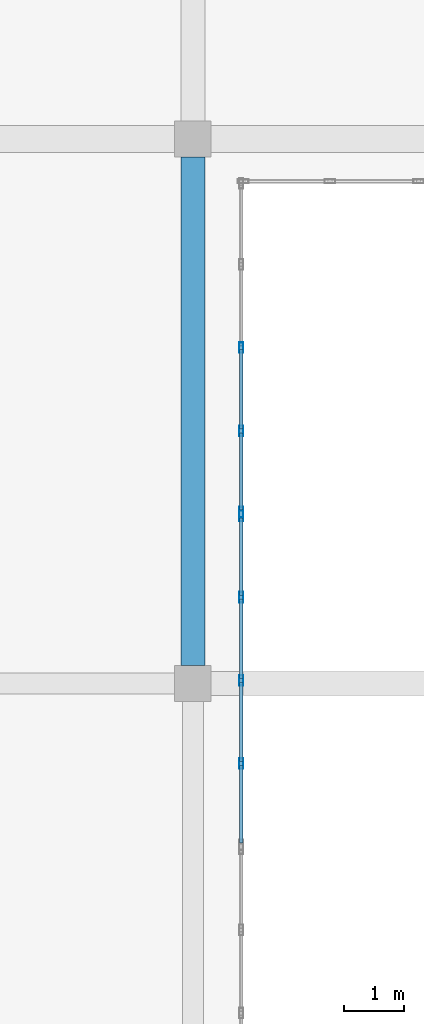
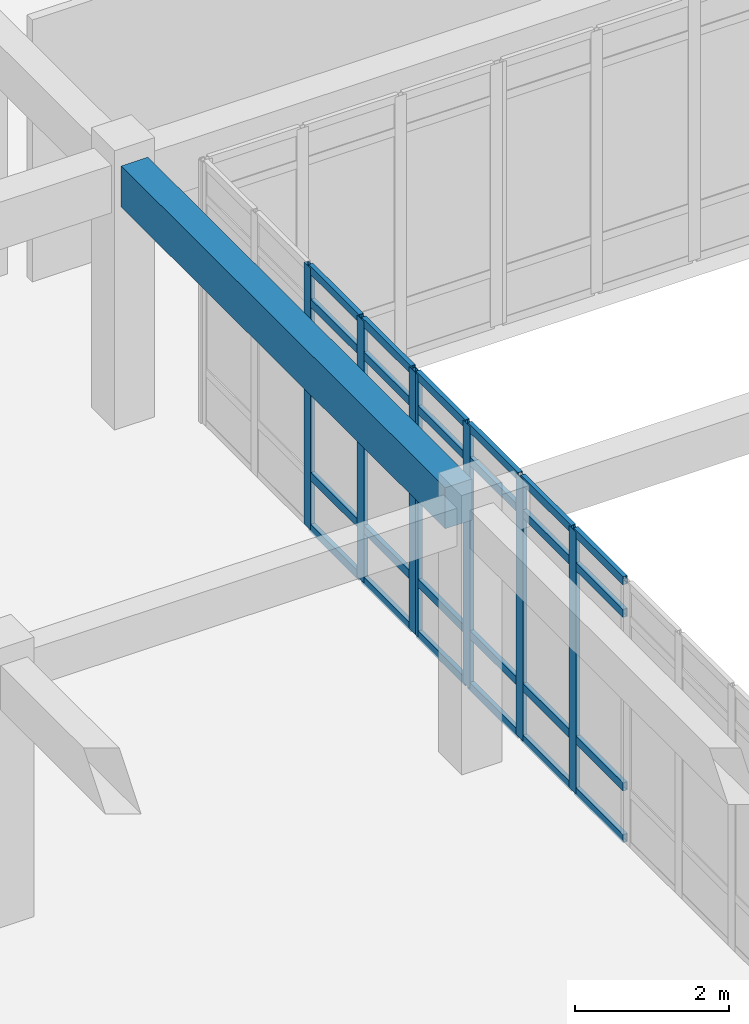
# One storey, part 72 of 142: 31 members, 1 beam, 2 elements without a shape of their own.
"""IFC4 building model written with IfcOpenShell, lengths in metres."""

from ifc_helpers import new_model, si_unit, direction, frame, origin, origin_2d, place, context, subcontext, project, spatial, rectangle, hollow_rectangle, extrude, material, layer, layer_set, material_profile, profile_set, type_object, element, aggregate, save


model = new_model("IFC4")

# Units and contexts
model_context = context("Model", 3, precision=1e-05, world=origin(), true_north=direction((0.0, 1.0)))
body_context = subcontext(model_context, "Body", "Model", "MODEL_VIEW")
ifc_project = project(units=[si_unit("LENGTHUNIT", "METRE"), si_unit("AREAUNIT", "SQUARE_METRE"), si_unit("VOLUMEUNIT", "CUBIC_METRE"), si_unit("PLANEANGLEUNIT", "RADIAN"), si_unit("MASSUNIT", "GRAM", prefix="KILO")], contexts=[model_context])

# Site, building, storey
site_placement = place(None, origin())
site = spatial("IfcSite", under=ifc_project, at=site_placement, CompositionType="ELEMENT")
building_placement = place(site_placement, origin())
building = spatial("IfcBuilding", under=site, at=building_placement, Name="Valcora Specialist Clinic", CompositionType="ELEMENT")
storey_placement = place(building_placement, frame((0.0, 0.0, 5.10009765625)))
storey = spatial("IfcBuildingStorey", under=building, at=storey_placement, Name="L01", CompositionType="ELEMENT", Elevation=5.10009765625)

# Beam
ifc_material_1 = material(Name="Concrete C40/50", Category="concrete")
ifc_material_profile_1 = material_profile(ifc_material_1, rectangle(XDim=0.39990234375, YDim=0.64990234375, at=origin_2d()), Name="RC-BM-400X650")
ifc_profile_set_1 = profile_set([ifc_material_profile_1], Name="Concrete C40/50")
beam_type = type_object("IfcBeamType", Name="TY-BM-RC400X650", PredefinedType="BEAM", material=ifc_profile_set_1)
beam_placement = place(storey_placement, frame((76.0, 90.5, 3.81982421875), z_axis=(0.0, 1.0, 0.0), x_axis=(-1.0, 0.0, 0.0)))
element("IfcBeam", 1, at=beam_placement, inside=storey, type_object=beam_type, Name="Beam BM-L01-0667", PredefinedType="BEAM", context=body_context, shape_type="SweptSolid", body=[
    extrude(rectangle(XDim=0.39990234375, YDim=0.64990234375, at=origin_2d()), origin(), (0.0, 0.0, 1.0), 8.39990234375),
])

# Curtain wall, members
ifc_material_2 = material(Name="Anodized Bronze Aluminium 6063-T6", Category="aluminium")
ifc_layer = layer(ifc_material_2, 0.175048828125)
ifc_layer_set = layer_set([ifc_layer], Name="Anodized Bronze Aluminium 6063-T6")
curtain_wall_type = type_object("IfcCurtainWallType", Name="TY-CW-CRT15", PredefinedType="NOTDEFINED", material=ifc_layer_set)
curtain_wall_1_placement = place(storey_placement, origin())
curtain_wall_1 = element("IfcCurtainWall", 2, at=curtain_wall_1_placement, inside=storey, type_object=curtain_wall_type, Name="Curtain wall CW-L01-070", PredefinedType="NOTDEFINED")
ifc_material_profile_2 = material_profile(ifc_material_2, hollow_rectangle(XDim=0.06494140625, YDim=0.175048828125, WallThickness=0.00390625, at=origin_2d()), Name="AL-MUL-65X175")
ifc_profile_set_2 = profile_set([ifc_material_profile_2], Name="Anodized Bronze Aluminium 6063-T6")
member_type_1 = type_object("IfcMemberType", Name="TY-CWM-65X175", PredefinedType="MULLION", material=ifc_profile_set_2)
member_1_placement = place(storey_placement, frame((76.800048828125, 95.75, 0.0), z_axis=(0.0, 0.0, 1.0), x_axis=(1.0, 0.0, 0.0)))
member_1 = element("IfcMember", 3, at=member_1_placement, type_object=member_type_1, Name="CW-CRT-15 mullion 3", PredefinedType="MULLION", context=body_context, shape_type="SweptSolid", body=[
    extrude(hollow_rectangle(XDim=0.06494140625, YDim=0.175048828125, WallThickness=0.00390625, at=origin_2d()), origin(), (0.0, 0.0, 1.0), 4.14501953125),
])
member_2_placement = place(storey_placement, frame((76.800048828125, 94.375, 0.0), z_axis=(0.0, 0.0, 1.0), x_axis=(1.0, 0.0, 0.0)))
member_2 = element("IfcMember", 4, at=member_2_placement, type_object=member_type_1, Name="CW-CRT-15 mullion 4", PredefinedType="MULLION", context=body_context, shape_type="SweptSolid", body=[
    extrude(hollow_rectangle(XDim=0.06494140625, YDim=0.175048828125, WallThickness=0.00390625, at=origin_2d()), origin(), (0.0, 0.0, 1.0), 4.14501953125),
])
member_3_placement = place(storey_placement, frame((76.800048828125, 93.032470703125, 0.0), z_axis=(0.0, 0.0, 1.0), x_axis=(1.0, 0.0, 0.0)))
member_3 = element("IfcMember", 5, at=member_3_placement, type_object=member_type_1, Name="CW-CRT-15 mullion 5", PredefinedType="MULLION", context=body_context, shape_type="SweptSolid", body=[
    extrude(hollow_rectangle(XDim=0.06494140625, YDim=0.175048828125, WallThickness=0.00390625, at=origin_2d()), origin(), (0.0, 0.0, 1.0), 4.14501953125),
])

curtain_wall_2_placement = place(storey_placement, origin())
curtain_wall_2 = element("IfcCurtainWall", 6, at=curtain_wall_2_placement, inside=storey, type_object=curtain_wall_type, Name="Curtain wall CW-L01-071", PredefinedType="NOTDEFINED")
member_4_placement = place(storey_placement, frame((76.800048828125, 92.967529296875, 0.0), z_axis=(0.0, 0.0, 1.0), x_axis=(1.0, 0.0, 0.0)))
member_4 = element("IfcMember", 7, at=member_4_placement, type_object=member_type_1, Name="CW-CRT-15 mullion 1", PredefinedType="MULLION", context=body_context, shape_type="SweptSolid", body=[
    extrude(hollow_rectangle(XDim=0.06494140625, YDim=0.175048828125, WallThickness=0.00390625, at=origin_2d()), origin(), (0.0, 0.0, 1.0), 4.14501953125),
])
member_5_placement = place(storey_placement, frame((76.800048828125, 91.625, 0.0), z_axis=(0.0, 0.0, 1.0), x_axis=(1.0, 0.0, 0.0)))
member_5 = element("IfcMember", 8, at=member_5_placement, type_object=member_type_1, Name="CW-CRT-15 mullion 2", PredefinedType="MULLION", context=body_context, shape_type="SweptSolid", body=[
    extrude(hollow_rectangle(XDim=0.06494140625, YDim=0.175048828125, WallThickness=0.00390625, at=origin_2d()), origin(), (0.0, 0.0, 1.0), 4.14501953125),
])
member_6_placement = place(storey_placement, frame((76.800048828125, 90.25, 0.0), z_axis=(0.0, 0.0, 1.0), x_axis=(1.0, 0.0, 0.0)))
member_6 = element("IfcMember", 9, at=member_6_placement, type_object=member_type_1, Name="CW-CRT-15 mullion 3", PredefinedType="MULLION", context=body_context, shape_type="SweptSolid", body=[
    extrude(hollow_rectangle(XDim=0.06494140625, YDim=0.175048828125, WallThickness=0.00390625, at=origin_2d()), origin(), (0.0, 0.0, 1.0), 4.14501953125),
])
member_7_placement = place(storey_placement, frame((76.800048828125, 88.875, 0.0), z_axis=(0.0, 0.0, 1.0), x_axis=(1.0, 0.0, 0.0)))
member_7 = element("IfcMember", 10, at=member_7_placement, type_object=member_type_1, Name="CW-CRT-15 mullion 4", PredefinedType="MULLION", context=body_context, shape_type="SweptSolid", body=[
    extrude(hollow_rectangle(XDim=0.06494140625, YDim=0.175048828125, WallThickness=0.00390625, at=origin_2d()), origin(), (0.0, 0.0, 1.0), 4.14501953125),
])

# Member
ifc_material_profile_3 = material_profile(ifc_material_2, hollow_rectangle(XDim=0.06494140625, YDim=0.1298828125, WallThickness=0.00390625, at=origin_2d()), Name="AL-TRN-65X130")
ifc_profile_set_3 = profile_set([ifc_material_profile_3], Name="Anodized Bronze Aluminium 6063-T6")
member_type_2 = type_object("IfcMemberType", Name="TY-CWT-65X130", PredefinedType="USERDEFINED", material=ifc_profile_set_3)
member_8_placement = place(storey_placement, frame((76.800048828125, 95.717529296875, 0.032470703125), z_axis=(0.0, -1.0, 0.0), x_axis=(1.0, 0.0, 0.0)))
member_8 = element("IfcMember", 11, at=member_8_placement, type_object=member_type_2, Name="CW-CRT-15 transom 3.1", ObjectType="TRANSOM", PredefinedType="USERDEFINED", context=body_context, shape_type="SweptSolid", body=[
    extrude(hollow_rectangle(XDim=0.06494140625, YDim=0.1298828125, WallThickness=0.00390625, at=origin_2d()), origin(), (0.0, 0.0, 1.0), 1.31005859375),
])

member_9_placement = place(storey_placement, frame((76.800048828125, 95.717529296875, 0.849853515625), z_axis=(0.0, -1.0, 0.0), x_axis=(1.0, 0.0, 0.0)))
member_9 = element("IfcMember", 12, at=member_9_placement, type_object=member_type_2, Name="CW-CRT-15 transom 3.2", ObjectType="TRANSOM", PredefinedType="USERDEFINED", context=body_context, shape_type="SweptSolid", body=[
    extrude(hollow_rectangle(XDim=0.06494140625, YDim=0.1298828125, WallThickness=0.00390625, at=origin_2d()), origin(), (0.0, 0.0, 1.0), 1.31005859375),
])

member_10_placement = place(storey_placement, frame((76.800048828125, 95.717529296875, 3.594970703125), z_axis=(0.0, -1.0, 0.0), x_axis=(1.0, 0.0, 0.0)))
member_10 = element("IfcMember", 13, at=member_10_placement, type_object=member_type_2, Name="CW-CRT-15 transom 3.3", ObjectType="TRANSOM", PredefinedType="USERDEFINED", context=body_context, shape_type="SweptSolid", body=[
    extrude(hollow_rectangle(XDim=0.06494140625, YDim=0.1298828125, WallThickness=0.00390625, at=origin_2d()), origin(), (0.0, 0.0, 1.0), 1.31005859375),
])

member_11_placement = place(storey_placement, frame((76.800048828125, 95.717529296875, 4.1123046875), z_axis=(0.0, -1.0, 0.0), x_axis=(1.0, 0.0, 0.0)))
member_11 = element("IfcMember", 14, at=member_11_placement, type_object=member_type_2, Name="CW-CRT-15 transom 3.4", ObjectType="TRANSOM", PredefinedType="USERDEFINED", context=body_context, shape_type="SweptSolid", body=[
    extrude(hollow_rectangle(XDim=0.06494140625, YDim=0.1298828125, WallThickness=0.00390625, at=origin_2d()), origin(), (0.0, 0.0, 1.0), 1.31005859375),
])

member_12_placement = place(storey_placement, frame((76.800048828125, 94.342529296875, 0.032470703125), z_axis=(0.0, -1.0, 0.0), x_axis=(1.0, 0.0, 0.0)))
member_12 = element("IfcMember", 15, at=member_12_placement, type_object=member_type_2, Name="CW-CRT-15 transom 4.1", ObjectType="TRANSOM", PredefinedType="USERDEFINED", context=body_context, shape_type="SweptSolid", body=[
    extrude(hollow_rectangle(XDim=0.06494140625, YDim=0.1298828125, WallThickness=0.00390625, at=origin_2d()), origin(), (0.0, 0.0, 1.0), 1.277587890625),
])

member_13_placement = place(storey_placement, frame((76.800048828125, 94.342529296875, 0.849853515625), z_axis=(0.0, -1.0, 0.0), x_axis=(1.0, 0.0, 0.0)))
member_13 = element("IfcMember", 16, at=member_13_placement, type_object=member_type_2, Name="CW-CRT-15 transom 4.2", ObjectType="TRANSOM", PredefinedType="USERDEFINED", context=body_context, shape_type="SweptSolid", body=[
    extrude(hollow_rectangle(XDim=0.06494140625, YDim=0.1298828125, WallThickness=0.00390625, at=origin_2d()), origin(), (0.0, 0.0, 1.0), 1.277587890625),
])

member_14_placement = place(storey_placement, frame((76.800048828125, 94.342529296875, 3.594970703125), z_axis=(0.0, -1.0, 0.0), x_axis=(1.0, 0.0, 0.0)))
member_14 = element("IfcMember", 17, at=member_14_placement, type_object=member_type_2, Name="CW-CRT-15 transom 4.3", ObjectType="TRANSOM", PredefinedType="USERDEFINED", context=body_context, shape_type="SweptSolid", body=[
    extrude(hollow_rectangle(XDim=0.06494140625, YDim=0.1298828125, WallThickness=0.00390625, at=origin_2d()), origin(), (0.0, 0.0, 1.0), 1.277587890625),
])

member_15_placement = place(storey_placement, frame((76.800048828125, 94.342529296875, 4.1123046875), z_axis=(0.0, -1.0, 0.0), x_axis=(1.0, 0.0, 0.0)))
member_15 = element("IfcMember", 18, at=member_15_placement, type_object=member_type_2, Name="CW-CRT-15 transom 4.4", ObjectType="TRANSOM", PredefinedType="USERDEFINED", context=body_context, shape_type="SweptSolid", body=[
    extrude(hollow_rectangle(XDim=0.06494140625, YDim=0.1298828125, WallThickness=0.00390625, at=origin_2d()), origin(), (0.0, 0.0, 1.0), 1.277587890625),
])

aggregate(curtain_wall_1, [member_1, member_2, member_3, member_8, member_9, member_10, member_11, member_12, member_13, member_14, member_15])

member_16_placement = place(storey_placement, frame((76.800048828125, 92.93505859375, 0.032470703125), z_axis=(0.0, -1.0, 0.0), x_axis=(1.0, 0.0, 0.0)))
member_16 = element("IfcMember", 19, at=member_16_placement, type_object=member_type_2, Name="CW-CRT-15 transom 1.1", ObjectType="TRANSOM", PredefinedType="USERDEFINED", context=body_context, shape_type="SweptSolid", body=[
    extrude(hollow_rectangle(XDim=0.06494140625, YDim=0.1298828125, WallThickness=0.00390625, at=origin_2d()), origin(), (0.0, 0.0, 1.0), 1.277587890625),
])

member_17_placement = place(storey_placement, frame((76.800048828125, 92.93505859375, 0.849853515625), z_axis=(0.0, -1.0, 0.0), x_axis=(1.0, 0.0, 0.0)))
member_17 = element("IfcMember", 20, at=member_17_placement, type_object=member_type_2, Name="CW-CRT-15 transom 1.2", ObjectType="TRANSOM", PredefinedType="USERDEFINED", context=body_context, shape_type="SweptSolid", body=[
    extrude(hollow_rectangle(XDim=0.06494140625, YDim=0.1298828125, WallThickness=0.00390625, at=origin_2d()), origin(), (0.0, 0.0, 1.0), 1.277587890625),
])

member_18_placement = place(storey_placement, frame((76.800048828125, 92.93505859375, 3.594970703125), z_axis=(0.0, -1.0, 0.0), x_axis=(1.0, 0.0, 0.0)))
member_18 = element("IfcMember", 21, at=member_18_placement, type_object=member_type_2, Name="CW-CRT-15 transom 1.3", ObjectType="TRANSOM", PredefinedType="USERDEFINED", context=body_context, shape_type="SweptSolid", body=[
    extrude(hollow_rectangle(XDim=0.06494140625, YDim=0.1298828125, WallThickness=0.00390625, at=origin_2d()), origin(), (0.0, 0.0, 1.0), 1.277587890625),
])

member_19_placement = place(storey_placement, frame((76.800048828125, 92.93505859375, 4.1123046875), z_axis=(0.0, -1.0, 0.0), x_axis=(1.0, 0.0, 0.0)))
member_19 = element("IfcMember", 22, at=member_19_placement, type_object=member_type_2, Name="CW-CRT-15 transom 1.4", ObjectType="TRANSOM", PredefinedType="USERDEFINED", context=body_context, shape_type="SweptSolid", body=[
    extrude(hollow_rectangle(XDim=0.06494140625, YDim=0.1298828125, WallThickness=0.00390625, at=origin_2d()), origin(), (0.0, 0.0, 1.0), 1.277587890625),
])

member_20_placement = place(storey_placement, frame((76.800048828125, 91.592529296875, 0.032470703125), z_axis=(0.0, -1.0, 0.0), x_axis=(1.0, 0.0, 0.0)))
member_20 = element("IfcMember", 23, at=member_20_placement, type_object=member_type_2, Name="CW-CRT-15 transom 2.1", ObjectType="TRANSOM", PredefinedType="USERDEFINED", context=body_context, shape_type="SweptSolid", body=[
    extrude(hollow_rectangle(XDim=0.06494140625, YDim=0.1298828125, WallThickness=0.00390625, at=origin_2d()), origin(), (0.0, 0.0, 1.0), 1.31005859375),
])

member_21_placement = place(storey_placement, frame((76.800048828125, 91.592529296875, 0.849853515625), z_axis=(0.0, -1.0, 0.0), x_axis=(1.0, 0.0, 0.0)))
member_21 = element("IfcMember", 24, at=member_21_placement, type_object=member_type_2, Name="CW-CRT-15 transom 2.2", ObjectType="TRANSOM", PredefinedType="USERDEFINED", context=body_context, shape_type="SweptSolid", body=[
    extrude(hollow_rectangle(XDim=0.06494140625, YDim=0.1298828125, WallThickness=0.00390625, at=origin_2d()), origin(), (0.0, 0.0, 1.0), 1.31005859375),
])

member_22_placement = place(storey_placement, frame((76.800048828125, 91.592529296875, 3.594970703125), z_axis=(0.0, -1.0, 0.0), x_axis=(1.0, 0.0, 0.0)))
member_22 = element("IfcMember", 25, at=member_22_placement, type_object=member_type_2, Name="CW-CRT-15 transom 2.3", ObjectType="TRANSOM", PredefinedType="USERDEFINED", context=body_context, shape_type="SweptSolid", body=[
    extrude(hollow_rectangle(XDim=0.06494140625, YDim=0.1298828125, WallThickness=0.00390625, at=origin_2d()), origin(), (0.0, 0.0, 1.0), 1.31005859375),
])

member_23_placement = place(storey_placement, frame((76.800048828125, 91.592529296875, 4.1123046875), z_axis=(0.0, -1.0, 0.0), x_axis=(1.0, 0.0, 0.0)))
member_23 = element("IfcMember", 26, at=member_23_placement, type_object=member_type_2, Name="CW-CRT-15 transom 2.4", ObjectType="TRANSOM", PredefinedType="USERDEFINED", context=body_context, shape_type="SweptSolid", body=[
    extrude(hollow_rectangle(XDim=0.06494140625, YDim=0.1298828125, WallThickness=0.00390625, at=origin_2d()), origin(), (0.0, 0.0, 1.0), 1.31005859375),
])

member_24_placement = place(storey_placement, frame((76.800048828125, 90.217529296875, 0.032470703125), z_axis=(0.0, -1.0, 0.0), x_axis=(1.0, 0.0, 0.0)))
member_24 = element("IfcMember", 27, at=member_24_placement, type_object=member_type_2, Name="CW-CRT-15 transom 3.1", ObjectType="TRANSOM", PredefinedType="USERDEFINED", context=body_context, shape_type="SweptSolid", body=[
    extrude(hollow_rectangle(XDim=0.06494140625, YDim=0.1298828125, WallThickness=0.00390625, at=origin_2d()), origin(), (0.0, 0.0, 1.0), 1.31005859375),
])

member_25_placement = place(storey_placement, frame((76.800048828125, 90.217529296875, 0.849853515625), z_axis=(0.0, -1.0, 0.0), x_axis=(1.0, 0.0, 0.0)))
member_25 = element("IfcMember", 28, at=member_25_placement, type_object=member_type_2, Name="CW-CRT-15 transom 3.2", ObjectType="TRANSOM", PredefinedType="USERDEFINED", context=body_context, shape_type="SweptSolid", body=[
    extrude(hollow_rectangle(XDim=0.06494140625, YDim=0.1298828125, WallThickness=0.00390625, at=origin_2d()), origin(), (0.0, 0.0, 1.0), 1.31005859375),
])

member_26_placement = place(storey_placement, frame((76.800048828125, 90.217529296875, 3.594970703125), z_axis=(0.0, -1.0, 0.0), x_axis=(1.0, 0.0, 0.0)))
member_26 = element("IfcMember", 29, at=member_26_placement, type_object=member_type_2, Name="CW-CRT-15 transom 3.3", ObjectType="TRANSOM", PredefinedType="USERDEFINED", context=body_context, shape_type="SweptSolid", body=[
    extrude(hollow_rectangle(XDim=0.06494140625, YDim=0.1298828125, WallThickness=0.00390625, at=origin_2d()), origin(), (0.0, 0.0, 1.0), 1.31005859375),
])

member_27_placement = place(storey_placement, frame((76.800048828125, 90.217529296875, 4.1123046875), z_axis=(0.0, -1.0, 0.0), x_axis=(1.0, 0.0, 0.0)))
member_27 = element("IfcMember", 30, at=member_27_placement, type_object=member_type_2, Name="CW-CRT-15 transom 3.4", ObjectType="TRANSOM", PredefinedType="USERDEFINED", context=body_context, shape_type="SweptSolid", body=[
    extrude(hollow_rectangle(XDim=0.06494140625, YDim=0.1298828125, WallThickness=0.00390625, at=origin_2d()), origin(), (0.0, 0.0, 1.0), 1.31005859375),
])

member_28_placement = place(storey_placement, frame((76.800048828125, 88.842529296875, 0.032470703125), z_axis=(0.0, -1.0, 0.0), x_axis=(1.0, 0.0, 0.0)))
member_28 = element("IfcMember", 31, at=member_28_placement, type_object=member_type_2, Name="CW-CRT-15 transom 4.1", ObjectType="TRANSOM", PredefinedType="USERDEFINED", context=body_context, shape_type="SweptSolid", body=[
    extrude(hollow_rectangle(XDim=0.06494140625, YDim=0.1298828125, WallThickness=0.00390625, at=origin_2d()), origin(), (0.0, 0.0, 1.0), 1.277587890625),
])

member_29_placement = place(storey_placement, frame((76.800048828125, 88.842529296875, 0.849853515625), z_axis=(0.0, -1.0, 0.0), x_axis=(1.0, 0.0, 0.0)))
member_29 = element("IfcMember", 32, at=member_29_placement, type_object=member_type_2, Name="CW-CRT-15 transom 4.2", ObjectType="TRANSOM", PredefinedType="USERDEFINED", context=body_context, shape_type="SweptSolid", body=[
    extrude(hollow_rectangle(XDim=0.06494140625, YDim=0.1298828125, WallThickness=0.00390625, at=origin_2d()), origin(), (0.0, 0.0, 1.0), 1.277587890625),
])

member_30_placement = place(storey_placement, frame((76.800048828125, 88.842529296875, 3.594970703125), z_axis=(0.0, -1.0, 0.0), x_axis=(1.0, 0.0, 0.0)))
member_30 = element("IfcMember", 33, at=member_30_placement, type_object=member_type_2, Name="CW-CRT-15 transom 4.3", ObjectType="TRANSOM", PredefinedType="USERDEFINED", context=body_context, shape_type="SweptSolid", body=[
    extrude(hollow_rectangle(XDim=0.06494140625, YDim=0.1298828125, WallThickness=0.00390625, at=origin_2d()), origin(), (0.0, 0.0, 1.0), 1.277587890625),
])

member_31_placement = place(storey_placement, frame((76.800048828125, 88.842529296875, 4.1123046875), z_axis=(0.0, -1.0, 0.0), x_axis=(1.0, 0.0, 0.0)))
member_31 = element("IfcMember", 34, at=member_31_placement, type_object=member_type_2, Name="CW-CRT-15 transom 4.4", ObjectType="TRANSOM", PredefinedType="USERDEFINED", context=body_context, shape_type="SweptSolid", body=[
    extrude(hollow_rectangle(XDim=0.06494140625, YDim=0.1298828125, WallThickness=0.00390625, at=origin_2d()), origin(), (0.0, 0.0, 1.0), 1.277587890625),
])

aggregate(curtain_wall_2, [member_4, member_5, member_6, member_7, member_16, member_17, member_18, member_19, member_20, member_21, member_22, member_23, member_24, member_25, member_26, member_27, member_28, member_29, member_30, member_31])

save(model, "model.ifc")
